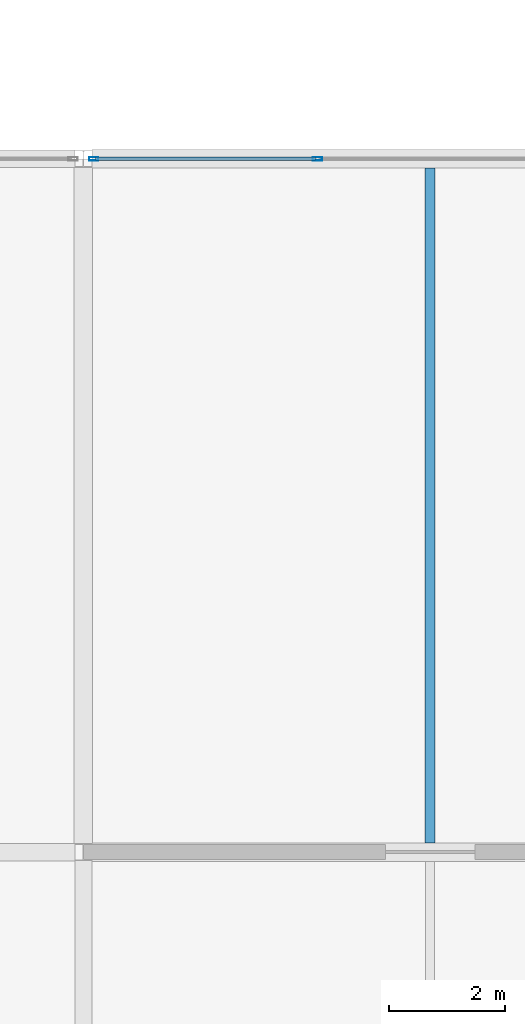
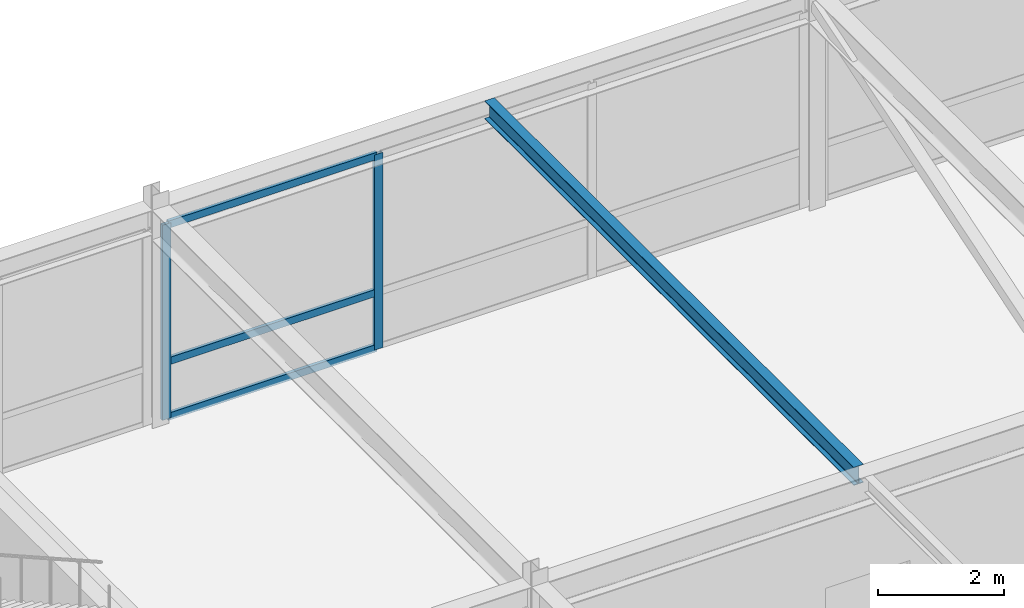
# One storey, part 27 of 108: 5 members, 1 beam, 1 element without a shape of its own.
"""IFC4 building model written with IfcOpenShell, lengths in metres."""

from ifc_helpers import new_model, si_unit, direction, frame, origin, origin_2d, place, context, subcontext, project, spatial, hollow_rectangle, i_section, extrude, material, layer, layer_set, material_profile, profile_set, type_object, element, aggregate, save


model = new_model("IFC4")

# Units and contexts
model_context = context("Model", 3, precision=1e-05, world=origin(), true_north=direction((0.0, 1.0)))
body_context = subcontext(model_context, "Body", "Model", "MODEL_VIEW")
ifc_project = project(units=[si_unit("LENGTHUNIT", "METRE"), si_unit("AREAUNIT", "SQUARE_METRE"), si_unit("VOLUMEUNIT", "CUBIC_METRE"), si_unit("PLANEANGLEUNIT", "RADIAN"), si_unit("MASSUNIT", "GRAM", prefix="KILO")], contexts=[model_context])

# Site, building, storey
site_placement = place(None, origin())
site = spatial("IfcSite", under=ifc_project, at=site_placement, CompositionType="ELEMENT")
building_placement = place(site_placement, origin())
building = spatial("IfcBuilding", under=site, at=building_placement, Name="Zlatovratsky Civic Hall", CompositionType="ELEMENT")
storey_placement = place(building_placement, frame((0.0, 0.0, 12.0)))
storey = spatial("IfcBuildingStorey", under=building, at=storey_placement, Name="L03", CompositionType="ELEMENT", Elevation=12.0)

# Curtain wall, members
ifc_material_1 = material(Name="Anodised bronze aluminium", Category="aluminium")
ifc_layer = layer(ifc_material_1, 0.159912109375)
ifc_layer_set = layer_set([ifc_layer], Name="Anodised bronze aluminium")
curtain_wall_type = type_object("IfcCurtainWallType", Name="CurtainWall_Bronze_11700x3770_11", PredefinedType="NOTDEFINED", material=ifc_layer_set)
curtain_wall_placement = place(storey_placement, origin())
curtain_wall = element("IfcCurtainWall", 1, at=curtain_wall_placement, inside=storey, type_object=curtain_wall_type, Name="CW-052", PredefinedType="NOTDEFINED")
ifc_material_profile_1 = material_profile(ifc_material_1, hollow_rectangle(XDim=0.06005859375, YDim=0.159912109375, WallThickness=0.00390625, at=origin_2d()), Name="ALU 60x160x4")
ifc_profile_set_1 = profile_set([ifc_material_profile_1], Name="Anodised bronze aluminium")
member_type_1 = type_object("IfcMemberType", Name="CW_Mullion_60x160", PredefinedType="MULLION", material=ifc_profile_set_1)
member_1_placement = place(storey_placement, frame((24.179443359375, 30.0, 0.0), z_axis=(0.0, 0.0, 1.0), x_axis=(0.0, 1.0, 0.0)))
member_1 = element("IfcMember", 2, at=member_1_placement, type_object=member_type_1, Name="CW-11 mullion 1", PredefinedType="MULLION", context=body_context, shape_type="SweptSolid", body=[
    extrude(hollow_rectangle(XDim=0.06005859375, YDim=0.159912109375, WallThickness=0.00390625, at=origin_2d()), origin(), (0.0, 0.0, 1.0), 3.77001953125),
])
member_2_placement = place(storey_placement, frame((28.0498046875, 30.0, 0.0), z_axis=(0.0, 0.0, 1.0), x_axis=(0.0, 1.0, 0.0)))
member_2 = element("IfcMember", 3, at=member_2_placement, type_object=member_type_1, Name="CW-11 mullion 2", PredefinedType="MULLION", context=body_context, shape_type="SweptSolid", body=[
    extrude(hollow_rectangle(XDim=0.06005859375, YDim=0.159912109375, WallThickness=0.00390625, at=origin_2d()), origin(), (0.0, 0.0, 1.0), 3.77001953125),
])
ifc_material_profile_2 = material_profile(ifc_material_1, hollow_rectangle(XDim=0.06005859375, YDim=0.139892578125, WallThickness=0.00390625, at=origin_2d()), Name="ALU 60x140x4")
ifc_profile_set_2 = profile_set([ifc_material_profile_2], Name="Anodised bronze aluminium")
member_type_2 = type_object("IfcMemberType", Name="CW_Transom_60x140", PredefinedType="USERDEFINED", material=ifc_profile_set_2)
member_3_placement = place(storey_placement, frame((24.20947265625, 30.0, 0.030029296875), z_axis=(1.0, 0.0, 0.0), x_axis=(0.0, 1.0, 0.0)))
member_3 = element("IfcMember", 4, at=member_3_placement, type_object=member_type_2, Name="CW-11 transom 1.1", ObjectType="TRANSOM", PredefinedType="USERDEFINED", context=body_context, shape_type="SweptSolid", body=[
    extrude(hollow_rectangle(XDim=0.06005859375, YDim=0.139892578125, WallThickness=0.00390625, at=origin_2d()), origin(), (0.0, 0.0, 1.0), 3.810302734375),
])
member_4_placement = place(storey_placement, frame((24.20947265625, 30.0, 1.10009765625), z_axis=(1.0, 0.0, 0.0), x_axis=(0.0, 1.0, 0.0)))
member_4 = element("IfcMember", 5, at=member_4_placement, type_object=member_type_2, Name="CW-11 transom 1.2", ObjectType="TRANSOM", PredefinedType="USERDEFINED", context=body_context, shape_type="SweptSolid", body=[
    extrude(hollow_rectangle(XDim=0.06005859375, YDim=0.139892578125, WallThickness=0.00390625, at=origin_2d()), origin(), (0.0, 0.0, 1.0), 3.810302734375),
])
member_5_placement = place(storey_placement, frame((24.20947265625, 30.0, 3.739990234375), z_axis=(1.0, 0.0, 0.0), x_axis=(0.0, 1.0, 0.0)))
member_5 = element("IfcMember", 6, at=member_5_placement, type_object=member_type_2, Name="CW-11 transom 1.3", ObjectType="TRANSOM", PredefinedType="USERDEFINED", context=body_context, shape_type="SweptSolid", body=[
    extrude(hollow_rectangle(XDim=0.06005859375, YDim=0.139892578125, WallThickness=0.00390625, at=origin_2d()), origin(), (0.0, 0.0, 1.0), 3.810302734375),
])
aggregate(curtain_wall, [member_1, member_2, member_3, member_4, member_5])

# Beam
ifc_material_2 = material(Name="Steel S355", Category="steel")
ifc_material_profile_3 = material_profile(ifc_material_2, i_section(OverallWidth=0.175048828125, OverallDepth=0.35009765625, WebThickness=0.007080078125, FlangeThickness=0.010986328125, FilletRadius=0.013916015625, at=origin_2d()), Name="35B2")
ifc_profile_set_3 = profile_set([ifc_material_profile_3], Name="Steel S355")
beam_type = type_object("IfcBeamType", Name="Joist_Heavy_35B2", PredefinedType="JOIST", material=ifc_profile_set_3)
beam_placement = place(storey_placement, frame((30.0, 18.159912109375, 4.044921875), z_axis=(0.0, 1.0, 0.0), x_axis=(-1.0, 0.0, 0.0)))
element("IfcBeam", 7, at=beam_placement, inside=storey, type_object=beam_type, Name="BM-3133", PredefinedType="JOIST", context=body_context, shape_type="SweptSolid", body=[
    extrude(i_section(OverallWidth=0.175048828125, OverallDepth=0.35009765625, WebThickness=0.007080078125, FlangeThickness=0.010986328125, FilletRadius=0.013916015625, at=origin_2d()), origin(), (0.0, 0.0, 1.0), 11.68017578125),
])

save(model, "model.ifc")
